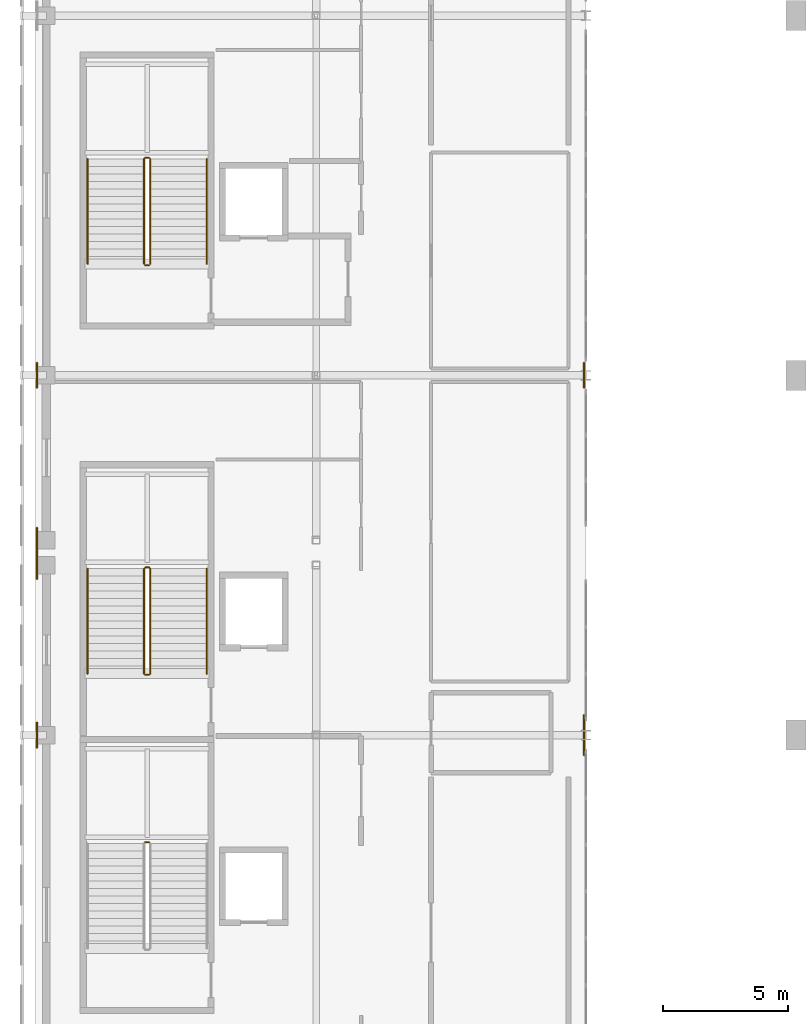
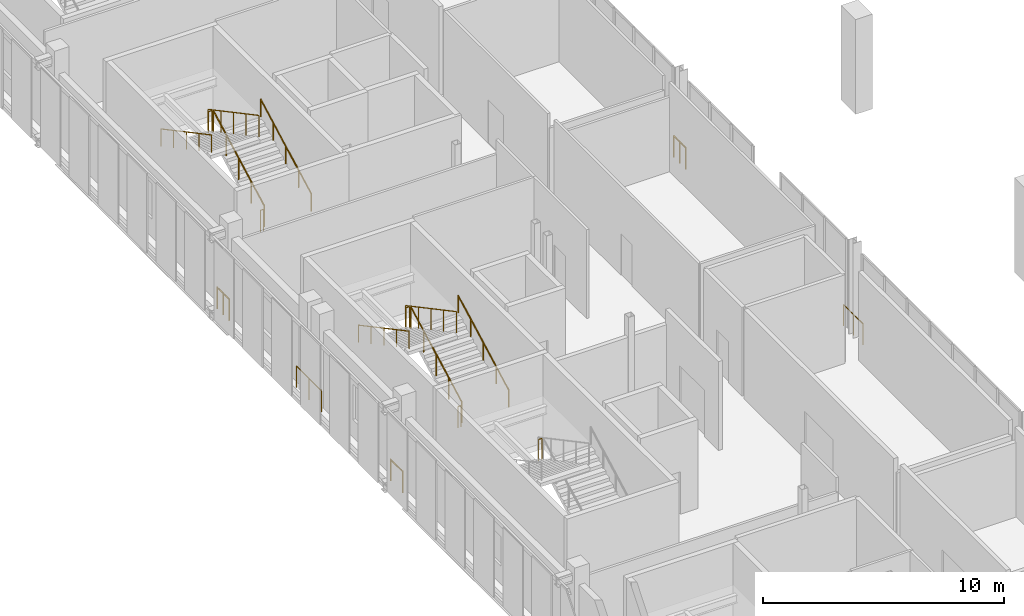
# One storey, part 46 of 51: 20 railings.
"""IFC4 building model written with IfcOpenShell, lengths in metres."""

from ifc_helpers import new_model, si_unit, direction, frame, origin, origin_2d, place, context, subcontext, project, spatial, circle, extrude, material, type_object, element, save


model = new_model("IFC4")

# Units and contexts
model_context = context("Model", 3, precision=1e-05, world=origin(), true_north=direction((0.0, 1.0)))
body_context = subcontext(model_context, "Body", "Model", "MODEL_VIEW")
ifc_project = project(units=[si_unit("LENGTHUNIT", "METRE"), si_unit("AREAUNIT", "SQUARE_METRE"), si_unit("VOLUMEUNIT", "CUBIC_METRE"), si_unit("PLANEANGLEUNIT", "RADIAN"), si_unit("MASSUNIT", "GRAM", prefix="KILO")], contexts=[model_context])

# Site, building, storey
site_placement = place(None, origin())
site = spatial("IfcSite", under=ifc_project, at=site_placement, CompositionType="ELEMENT")
building_placement = place(site_placement, origin())
building = spatial("IfcBuilding", under=site, at=building_placement, Name="Koshinbarg Plaza Stadium", CompositionType="ELEMENT")
storey_placement = place(building_placement, frame((0.0, 0.0, 24.60009765625)))
storey = spatial("IfcBuildingStorey", under=building, at=storey_placement, Name="L05", CompositionType="ELEMENT", Elevation=24.60009765625)

# Railings
ifc_material_1 = material(Name="Toughened laminated glass and stainless steel sightline balustrade", Category="steel")
railing_type_1 = type_object("IfcRailingType", Name="RL-BOWL-1100", PredefinedType="BALUSTRADE", material=ifc_material_1)
railing_1_placement = place(storey_placement, frame((24.22509765625, 68.199951171875, 0.0)))
element("IfcRailing", 1, at=railing_1_placement, inside=storey, type_object=railing_type_1, Name="L05 deck edge safety balustrade 0354", PredefinedType="BALUSTRADE", context=body_context, shape_type="SweptSolid", body=[
    extrude(circle(Radius=0.02392578125, at=origin_2d()), frame((0.0, 0.0, 1.076171875), z_axis=(0.0, 1.0, 0.0), x_axis=(-1.0, 0.0, 0.0)), (0.0, 0.0, 1.0), 1.0),
    extrude(circle(Radius=0.02099609375, at=origin_2d()), origin(), (0.0, 0.0, 1.0), 1.052001953125),
    extrude(circle(Radius=0.02099609375, at=origin_2d()), frame((0.0, 1.0, 0.0)), (0.0, 0.0, 1.0), 1.052001953125),
])
railing_2_placement = place(storey_placement, frame((24.22509765625, 74.949951171875, 0.0)))
element("IfcRailing", 2, at=railing_2_placement, inside=storey, type_object=railing_type_1, Name="L05 deck edge safety balustrade 0355", PredefinedType="BALUSTRADE", context=body_context, shape_type="SweptSolid", body=[
    extrude(circle(Radius=0.02392578125, at=origin_2d()), frame((0.0, 0.0, 1.076171875), z_axis=(0.0, 1.0, 0.0), x_axis=(-1.0, 0.0, 0.0)), (0.0, 0.0, 1.0), 2.050048828125),
    extrude(circle(Radius=0.02099609375, at=origin_2d()), origin(), (0.0, 0.0, 1.0), 1.052001953125),
    extrude(circle(Radius=0.02099609375, at=origin_2d()), frame((0.0, 1.02490234375, 0.0)), (0.0, 0.0, 1.0), 1.052001953125),
    extrude(circle(Radius=0.02099609375, at=origin_2d()), frame((0.0, 2.050048828125, 0.0)), (0.0, 0.0, 1.0), 1.052001953125),
])
railing_3_placement = place(storey_placement, frame((24.22509765625, 82.60009765625, 0.0)))
element("IfcRailing", 3, at=railing_3_placement, inside=storey, type_object=railing_type_1, Name="L05 deck edge safety balustrade 0356", PredefinedType="BALUSTRADE", context=body_context, shape_type="SweptSolid", body=[
    extrude(circle(Radius=0.02392578125, at=origin_2d()), frame((0.0, 0.0, 1.076171875), z_axis=(0.0, 1.0, 0.0), x_axis=(-1.0, 0.0, 0.0)), (0.0, 0.0, 1.0), 0.5),
    extrude(circle(Radius=0.02099609375, at=origin_2d()), origin(), (0.0, 0.0, 1.0), 1.052001953125),
    extrude(circle(Radius=0.02099609375, at=origin_2d()), frame((0.0, 0.5, 0.0)), (0.0, 0.0, 1.0), 1.052001953125),
])
railing_4_placement = place(storey_placement, frame((46.1201171875, 83.10009765625, 0.0)))
element("IfcRailing", 4, at=railing_4_placement, inside=storey, type_object=railing_type_1, Name="L05 deck edge safety balustrade 0357", PredefinedType="BALUSTRADE", context=body_context, shape_type="SweptSolid", body=[
    extrude(circle(Radius=0.02392578125, at=origin_2d()), frame((0.0, 0.0, 1.076171875), z_axis=(0.0, -1.0, 0.0), x_axis=(1.0, 0.0, 0.0)), (0.0, 0.0, 1.0), 0.5),
    extrude(circle(Radius=0.02099609375, at=origin_2d()), origin(), (0.0, 0.0, 1.0), 1.052001953125),
    extrude(circle(Radius=0.02099609375, at=origin_2d()), frame((0.0, -0.5, 0.0)), (0.0, 0.0, 1.0), 1.052001953125),
])
railing_5_placement = place(storey_placement, frame((46.1201171875, 69.5, 0.0)))
element("IfcRailing", 5, at=railing_5_placement, inside=storey, type_object=railing_type_1, Name="L05 deck edge safety balustrade 0358", PredefinedType="BALUSTRADE", context=body_context, shape_type="SweptSolid", body=[
    extrude(circle(Radius=0.02392578125, at=origin_2d()), frame((0.0, 0.0, 1.076171875), z_axis=(0.0, -1.0, 0.0), x_axis=(1.0, 0.0, 0.0)), (0.0, 0.0, 1.0), 1.60009765625),
    extrude(circle(Radius=0.02099609375, at=origin_2d()), origin(), (0.0, 0.0, 1.0), 1.052001953125),
    extrude(circle(Radius=0.02099609375, at=origin_2d()), frame((0.0, -0.800048828125, 0.0)), (0.0, 0.0, 1.0), 1.052001953125),
    extrude(circle(Radius=0.02099609375, at=origin_2d()), frame((0.0, -1.60009765625, 0.0)), (0.0, 0.0, 1.0), 1.052001953125),
])
railing_6_placement = place(storey_placement, frame((24.22509765625, 83.10009765625, 0.0)))
element("IfcRailing", 6, at=railing_6_placement, inside=storey, type_object=railing_type_1, Name="L05 deck edge safety balustrade 0360", PredefinedType="BALUSTRADE", context=body_context, shape_type="SweptSolid", body=[
    extrude(circle(Radius=0.02392578125, at=origin_2d()), frame((0.0, 0.0, 1.076171875), z_axis=(0.0, 1.0, 0.0), x_axis=(-1.0, 0.0, 0.0)), (0.0, 0.0, 1.0), 0.498291015625),
    extrude(circle(Radius=0.02099609375, at=origin_2d()), origin(), (0.0, 0.0, 1.0), 1.052001953125),
    extrude(circle(Radius=0.02099609375, at=origin_2d()), frame((0.0, 0.498291015625, 0.0)), (0.0, 0.0, 1.0), 1.052001953125),
])
railing_7_placement = place(storey_placement, frame((46.1201171875, 83.598388671875, 0.0)))
element("IfcRailing", 7, at=railing_7_placement, inside=storey, type_object=railing_type_1, Name="L05 deck edge safety balustrade 0365", PredefinedType="BALUSTRADE", context=body_context, shape_type="SweptSolid", body=[
    extrude(circle(Radius=0.02392578125, at=origin_2d()), frame((0.0, 0.0, 1.076171875), z_axis=(0.0, -1.0, 0.0), x_axis=(1.0, 0.0, 0.0)), (0.0, 0.0, 1.0), 0.498291015625),
    extrude(circle(Radius=0.02099609375, at=origin_2d()), origin(), (0.0, 0.0, 1.0), 1.052001953125),
    extrude(circle(Radius=0.02099609375, at=origin_2d()), frame((0.0, -0.498291015625, 0.0)), (0.0, 0.0, 1.0), 1.052001953125),
])
ifc_material_2 = material(Name="Galvanized painted steel guardrail", Category="steel")
railing_type_2 = type_object("IfcRailingType", Name="RL-GUARD-1100", PredefinedType="GUARDRAIL", material=ifc_material_2)
railing_8_placement = place(storey_placement, frame((28.7099609375, 64.409912109375, 2.39990234375)))
element("IfcRailing", 8, at=railing_8_placement, inside=storey, type_object=railing_type_2, Name="L05 C03 stair guard 2", PredefinedType="GUARDRAIL", context=body_context, shape_type="SweptSolid", body=[
    extrude(circle(Radius=0.02392578125, at=origin_2d()), frame((0.0, 0.0, 1.076171875), z_axis=(-1.0, 0.0, 0.0), x_axis=(0.0, -1.0, 0.0)), (0.0, 0.0, 1.0), 0.14990234375),
    extrude(circle(Radius=0.02099609375, at=origin_2d()), origin(), (0.0, 0.0, 1.0), 1.052001953125),
    extrude(circle(Radius=0.02099609375, at=origin_2d()), frame((-0.14990234375, 0.0, 0.0)), (0.0, 0.0, 1.0), 1.052001953125),
])
railing_9_placement = place(storey_placement, frame((28.760009765625, 71.159912109375, 0.159912109375)))
element("IfcRailing", 9, at=railing_9_placement, inside=storey, type_object=railing_type_2, Name="L05 C04 stair guard 1", PredefinedType="GUARDRAIL", context=body_context, shape_type="SweptSolid", body=[
    extrude(circle(Radius=0.02392578125, at=origin_2d()), frame((0.0, 0.0, 1.076171875), z_axis=(0.0, 0.882362879185, 0.470569601054), x_axis=(-1.0, 0.0, 0.0)), (0.0, 0.0, 1.0), 4.76025390625),
    extrude(circle(Radius=0.02099609375, at=origin_2d()), origin(), (0.0, 0.0, 1.0), 1.052001953125),
    extrude(circle(Radius=0.02099609375, at=origin_2d()), frame((0.0, 1.050048828125, 0.56005859375)), (0.0, 0.0, 1.0), 1.052001953125),
    extrude(circle(Radius=0.02099609375, at=origin_2d()), frame((0.0, 2.10009765625, 1.1201171875)), (0.0, 0.0, 1.0), 1.052001953125),
    extrude(circle(Radius=0.02099609375, at=origin_2d()), frame((0.0, 3.150146484375, 1.679931640625)), (0.0, 0.0, 1.0), 1.052001953125),
    extrude(circle(Radius=0.02099609375, at=origin_2d()), frame((0.0, 4.2001953125, 2.239990234375)), (0.0, 0.0, 1.0), 1.052001953125),
])
railing_10_placement = place(storey_placement, frame((28.7099609375, 75.409912109375, 2.39990234375)))
element("IfcRailing", 10, at=railing_10_placement, inside=storey, type_object=railing_type_2, Name="L05 C04 stair guard 2", PredefinedType="GUARDRAIL", context=body_context, shape_type="SweptSolid", body=[
    extrude(circle(Radius=0.02392578125, at=origin_2d()), frame((0.0, 0.0, 1.076171875), z_axis=(-1.0, 0.0, 0.0), x_axis=(0.0, -1.0, 0.0)), (0.0, 0.0, 1.0), 0.14990234375),
    extrude(circle(Radius=0.02099609375, at=origin_2d()), origin(), (0.0, 0.0, 1.0), 1.052001953125),
    extrude(circle(Radius=0.02099609375, at=origin_2d()), frame((-0.14990234375, 0.0, 0.0)), (0.0, 0.0, 1.0), 1.052001953125),
])
railing_11_placement = place(storey_placement, frame((28.510009765625, 75.360107421875, 2.559814453125)))
element("IfcRailing", 11, at=railing_11_placement, inside=storey, type_object=railing_type_2, Name="L05 C04 stair guard 3", PredefinedType="GUARDRAIL", context=body_context, shape_type="SweptSolid", body=[
    extrude(circle(Radius=0.02392578125, at=origin_2d()), frame((0.0, 0.0, 1.076171875), z_axis=(0.0, -0.882362879185, 0.470569601054), x_axis=(1.0, 0.0, 0.0)), (0.0, 0.0, 1.0), 4.76025390625),
    extrude(circle(Radius=0.02099609375, at=origin_2d()), origin(), (0.0, 0.0, 1.0), 1.052001953125),
    extrude(circle(Radius=0.02099609375, at=origin_2d()), frame((0.0, -1.050048828125, 0.56005859375)), (0.0, 0.0, 1.0), 1.052001953125),
    extrude(circle(Radius=0.02099609375, at=origin_2d()), frame((0.0, -2.10009765625, 1.1201171875)), (0.0, 0.0, 1.0), 1.052001953125),
    extrude(circle(Radius=0.02099609375, at=origin_2d()), frame((0.0, -3.150146484375, 1.679931640625)), (0.0, 0.0, 1.0), 1.052001953125),
    extrude(circle(Radius=0.02099609375, at=origin_2d()), frame((0.0, -4.2001953125, 2.239990234375)), (0.0, 0.0, 1.0), 1.052001953125),
])
railing_12_placement = place(storey_placement, frame((28.7099609375, 71.110107421875, 0.0)))
element("IfcRailing", 12, at=railing_12_placement, inside=storey, type_object=railing_type_2, Name="L05 C04 stair guard 4", PredefinedType="GUARDRAIL", context=body_context, shape_type="SweptSolid", body=[
    extrude(circle(Radius=0.02392578125, at=origin_2d()), frame((0.0, 0.0, 1.076171875), z_axis=(-1.0, 0.0, 0.0), x_axis=(0.0, -1.0, 0.0)), (0.0, 0.0, 1.0), 0.14990234375),
    extrude(circle(Radius=0.02099609375, at=origin_2d()), origin(), (0.0, 0.0, 1.0), 1.052001953125),
    extrude(circle(Radius=0.02099609375, at=origin_2d()), frame((-0.14990234375, 0.0, 0.0)), (0.0, 0.0, 1.0), 1.052001953125),
])
railing_13_placement = place(storey_placement, frame((28.760009765625, 87.56005859375, 0.159912109375)))
element("IfcRailing", 13, at=railing_13_placement, inside=storey, type_object=railing_type_2, Name="L05 C05 stair guard 1", PredefinedType="GUARDRAIL", context=body_context, shape_type="SweptSolid", body=[
    extrude(circle(Radius=0.02392578125, at=origin_2d()), frame((0.0, 0.0, 1.076171875), z_axis=(0.0, 0.882351521365, 0.470590897432), x_axis=(-1.0, 0.0, 0.0)), (0.0, 0.0, 1.0), 4.760009765625),
    extrude(circle(Radius=0.02099609375, at=origin_2d()), origin(), (0.0, 0.0, 1.0), 1.052001953125),
    extrude(circle(Radius=0.02099609375, at=origin_2d()), frame((0.0, 1.050048828125, 0.56005859375)), (0.0, 0.0, 1.0), 1.052001953125),
    extrude(circle(Radius=0.02099609375, at=origin_2d()), frame((0.0, 2.10009765625, 1.1201171875)), (0.0, 0.0, 1.0), 1.052001953125),
    extrude(circle(Radius=0.02099609375, at=origin_2d()), frame((0.0, 3.14990234375, 1.679931640625)), (0.0, 0.0, 1.0), 1.052001953125),
    extrude(circle(Radius=0.02099609375, at=origin_2d()), frame((0.0, 4.199951171875, 2.239990234375)), (0.0, 0.0, 1.0), 1.052001953125),
])
railing_14_placement = place(storey_placement, frame((28.7099609375, 91.81005859375, 2.39990234375)))
element("IfcRailing", 14, at=railing_14_placement, inside=storey, type_object=railing_type_2, Name="L05 C05 stair guard 2", PredefinedType="GUARDRAIL", context=body_context, shape_type="SweptSolid", body=[
    extrude(circle(Radius=0.02392578125, at=origin_2d()), frame((0.0, 0.0, 1.076171875), z_axis=(-1.0, 0.0, 0.0), x_axis=(0.0, -1.0, 0.0)), (0.0, 0.0, 1.0), 0.14990234375),
    extrude(circle(Radius=0.02099609375, at=origin_2d()), origin(), (0.0, 0.0, 1.0), 1.052001953125),
    extrude(circle(Radius=0.02099609375, at=origin_2d()), frame((-0.14990234375, 0.0, 0.0)), (0.0, 0.0, 1.0), 1.052001953125),
])
railing_15_placement = place(storey_placement, frame((28.510009765625, 91.760009765625, 2.559814453125)))
element("IfcRailing", 15, at=railing_15_placement, inside=storey, type_object=railing_type_2, Name="L05 C05 stair guard 3", PredefinedType="GUARDRAIL", context=body_context, shape_type="SweptSolid", body=[
    extrude(circle(Radius=0.02392578125, at=origin_2d()), frame((0.0, 0.0, 1.076171875), z_axis=(0.0, -0.882351521365, 0.470590897432), x_axis=(1.0, 0.0, 0.0)), (0.0, 0.0, 1.0), 4.760009765625),
    extrude(circle(Radius=0.02099609375, at=origin_2d()), origin(), (0.0, 0.0, 1.0), 1.052001953125),
    extrude(circle(Radius=0.02099609375, at=origin_2d()), frame((0.0, -1.050048828125, 0.56005859375)), (0.0, 0.0, 1.0), 1.052001953125),
    extrude(circle(Radius=0.02099609375, at=origin_2d()), frame((0.0, -2.10009765625, 1.1201171875)), (0.0, 0.0, 1.0), 1.052001953125),
    extrude(circle(Radius=0.02099609375, at=origin_2d()), frame((0.0, -3.14990234375, 1.679931640625)), (0.0, 0.0, 1.0), 1.052001953125),
    extrude(circle(Radius=0.02099609375, at=origin_2d()), frame((0.0, -4.199951171875, 2.239990234375)), (0.0, 0.0, 1.0), 1.052001953125),
])
railing_16_placement = place(storey_placement, frame((28.7099609375, 87.510009765625, 0.0)))
element("IfcRailing", 16, at=railing_16_placement, inside=storey, type_object=railing_type_2, Name="L05 C05 stair guard 4", PredefinedType="GUARDRAIL", context=body_context, shape_type="SweptSolid", body=[
    extrude(circle(Radius=0.02392578125, at=origin_2d()), frame((0.0, 0.0, 1.076171875), z_axis=(-1.0, 0.0, 0.0), x_axis=(0.0, -1.0, 0.0)), (0.0, 0.0, 1.0), 0.14990234375),
    extrude(circle(Radius=0.02099609375, at=origin_2d()), origin(), (0.0, 0.0, 1.0), 1.052001953125),
    extrude(circle(Radius=0.02099609375, at=origin_2d()), frame((-0.14990234375, 0.0, 0.0)), (0.0, 0.0, 1.0), 1.052001953125),
])
ifc_material_3 = material(Name="Brushed stainless steel handrail", Category="steel")
railing_type_3 = type_object("IfcRailingType", Name="RL-HAND-900", PredefinedType="HANDRAIL", material=ifc_material_3)
railing_17_placement = place(storey_placement, frame((31.02001953125, 71.159912109375, 0.159912109375)))
element("IfcRailing", 17, at=railing_17_placement, inside=storey, type_object=railing_type_3, Name="L05 C04 stair handrail 1", PredefinedType="HANDRAIL", context=body_context, shape_type="SweptSolid", body=[
    extrude(circle(Radius=0.02392578125, at=origin_2d()), frame((0.0, 0.0, 0.8759765625), z_axis=(0.0, 0.882362879185, 0.470569601054), x_axis=(-1.0, 0.0, 0.0)), (0.0, 0.0, 1.0), 4.76025390625),
    extrude(circle(Radius=0.02099609375, at=origin_2d()), origin(), (0.0, 0.0, 1.0), 0.851806640625),
    extrude(circle(Radius=0.02099609375, at=origin_2d()), frame((0.0, 1.050048828125, 0.56005859375)), (0.0, 0.0, 1.0), 0.851806640625),
    extrude(circle(Radius=0.02099609375, at=origin_2d()), frame((0.0, 2.10009765625, 1.1201171875)), (0.0, 0.0, 1.0), 0.851806640625),
    extrude(circle(Radius=0.02099609375, at=origin_2d()), frame((0.0, 3.150146484375, 1.679931640625)), (0.0, 0.0, 1.0), 0.851806640625),
    extrude(circle(Radius=0.02099609375, at=origin_2d()), frame((0.0, 4.2001953125, 2.239990234375)), (0.0, 0.0, 1.0), 0.851806640625),
])
railing_18_placement = place(storey_placement, frame((26.25, 75.360107421875, 2.559814453125)))
element("IfcRailing", 18, at=railing_18_placement, inside=storey, type_object=railing_type_3, Name="L05 C04 stair handrail 2", PredefinedType="HANDRAIL", context=body_context, shape_type="SweptSolid", body=[
    extrude(circle(Radius=0.02392578125, at=origin_2d()), frame((0.0, 0.0, 0.8759765625), z_axis=(0.0, -0.882362879185, 0.470569601054), x_axis=(1.0, 0.0, 0.0)), (0.0, 0.0, 1.0), 4.76025390625),
    extrude(circle(Radius=0.02099609375, at=origin_2d()), origin(), (0.0, 0.0, 1.0), 0.851806640625),
    extrude(circle(Radius=0.02099609375, at=origin_2d()), frame((0.0, -1.050048828125, 0.56005859375)), (0.0, 0.0, 1.0), 0.851806640625),
    extrude(circle(Radius=0.02099609375, at=origin_2d()), frame((0.0, -2.10009765625, 1.1201171875)), (0.0, 0.0, 1.0), 0.851806640625),
    extrude(circle(Radius=0.02099609375, at=origin_2d()), frame((0.0, -3.150146484375, 1.679931640625)), (0.0, 0.0, 1.0), 0.851806640625),
    extrude(circle(Radius=0.02099609375, at=origin_2d()), frame((0.0, -4.2001953125, 2.239990234375)), (0.0, 0.0, 1.0), 0.851806640625),
])
railing_19_placement = place(storey_placement, frame((31.02001953125, 87.56005859375, 0.159912109375)))
element("IfcRailing", 19, at=railing_19_placement, inside=storey, type_object=railing_type_3, Name="L05 C05 stair handrail 1", PredefinedType="HANDRAIL", context=body_context, shape_type="SweptSolid", body=[
    extrude(circle(Radius=0.02392578125, at=origin_2d()), frame((0.0, 0.0, 0.8759765625), z_axis=(0.0, 0.882351521365, 0.470590897432), x_axis=(-1.0, 0.0, 0.0)), (0.0, 0.0, 1.0), 4.760009765625),
    extrude(circle(Radius=0.02099609375, at=origin_2d()), origin(), (0.0, 0.0, 1.0), 0.851806640625),
    extrude(circle(Radius=0.02099609375, at=origin_2d()), frame((0.0, 1.050048828125, 0.56005859375)), (0.0, 0.0, 1.0), 0.851806640625),
    extrude(circle(Radius=0.02099609375, at=origin_2d()), frame((0.0, 2.10009765625, 1.1201171875)), (0.0, 0.0, 1.0), 0.851806640625),
    extrude(circle(Radius=0.02099609375, at=origin_2d()), frame((0.0, 3.14990234375, 1.679931640625)), (0.0, 0.0, 1.0), 0.851806640625),
    extrude(circle(Radius=0.02099609375, at=origin_2d()), frame((0.0, 4.199951171875, 2.239990234375)), (0.0, 0.0, 1.0), 0.851806640625),
])
railing_20_placement = place(storey_placement, frame((26.25, 91.760009765625, 2.559814453125)))
element("IfcRailing", 20, at=railing_20_placement, inside=storey, type_object=railing_type_3, Name="L05 C05 stair handrail 2", PredefinedType="HANDRAIL", context=body_context, shape_type="SweptSolid", body=[
    extrude(circle(Radius=0.02392578125, at=origin_2d()), frame((0.0, 0.0, 0.8759765625), z_axis=(0.0, -0.882351521365, 0.470590897432), x_axis=(1.0, 0.0, 0.0)), (0.0, 0.0, 1.0), 4.760009765625),
    extrude(circle(Radius=0.02099609375, at=origin_2d()), origin(), (0.0, 0.0, 1.0), 0.851806640625),
    extrude(circle(Radius=0.02099609375, at=origin_2d()), frame((0.0, -1.050048828125, 0.56005859375)), (0.0, 0.0, 1.0), 0.851806640625),
    extrude(circle(Radius=0.02099609375, at=origin_2d()), frame((0.0, -2.10009765625, 1.1201171875)), (0.0, 0.0, 1.0), 0.851806640625),
    extrude(circle(Radius=0.02099609375, at=origin_2d()), frame((0.0, -3.14990234375, 1.679931640625)), (0.0, 0.0, 1.0), 0.851806640625),
    extrude(circle(Radius=0.02099609375, at=origin_2d()), frame((0.0, -4.199951171875, 2.239990234375)), (0.0, 0.0, 1.0), 0.851806640625),
])

save(model, "model.ifc")
